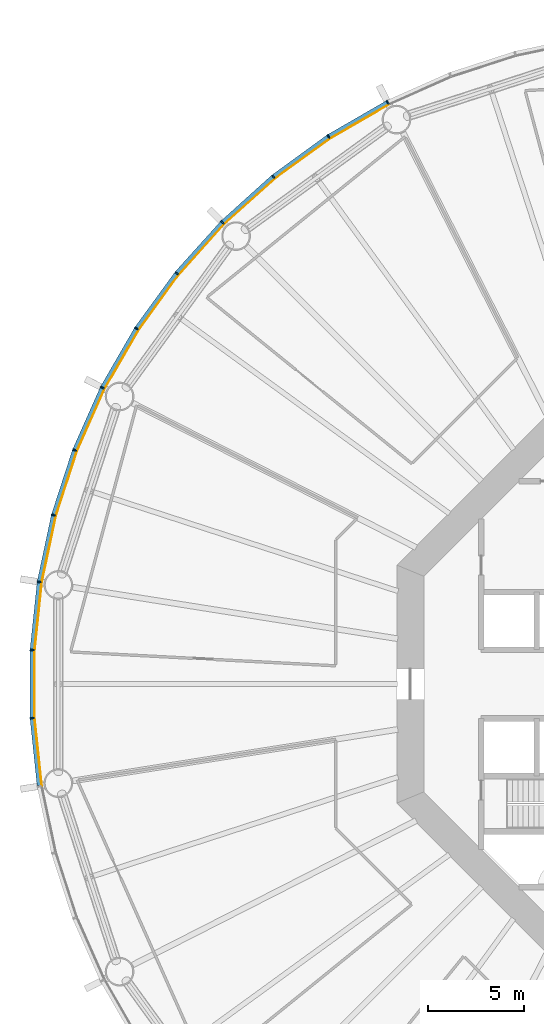
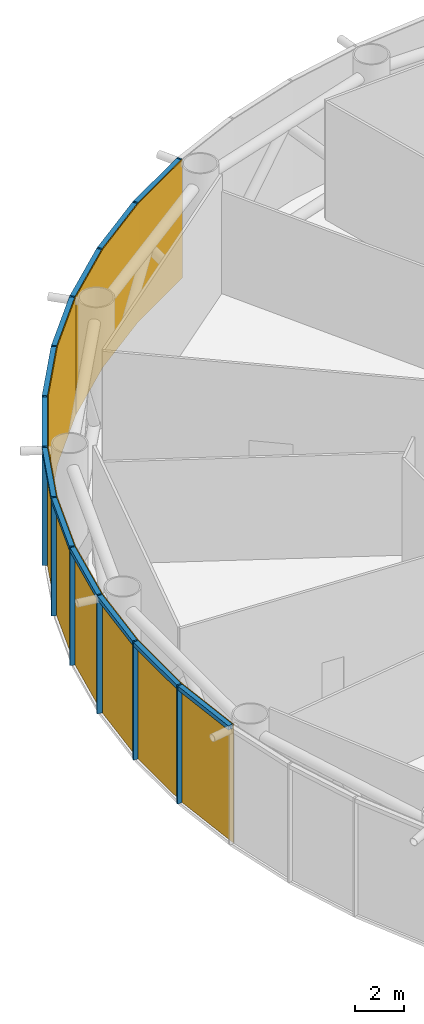
# One storey, part 10 of 14: 24 members, 4 curtain walls.
"""IFC4 building model written with IfcOpenShell, lengths in metres."""

from ifc_helpers import new_model, si_unit, direction, frame, origin, origin_2d, place, context, subcontext, project, spatial, polyline, rectangle, outline, extrude, material, layer, layer_set, material_profile, profile_set, type_object, element, aggregate, save


model = new_model("IFC4")

# Units and contexts
model_context = context("Model", 3, precision=1e-05, world=origin(), true_north=direction((0.0, 1.0)))
body_context = subcontext(model_context, "Body", "Model", "MODEL_VIEW")
ifc_project = project(units=[si_unit("LENGTHUNIT", "METRE"), si_unit("AREAUNIT", "SQUARE_METRE"), si_unit("VOLUMEUNIT", "CUBIC_METRE"), si_unit("PLANEANGLEUNIT", "RADIAN"), si_unit("MASSUNIT", "GRAM", prefix="KILO")], contexts=[model_context])

# Member
ifc_material_1 = material(Name="Anodised aluminium", Category="aluminium")
ifc_material_profile_1 = material_profile(ifc_material_1, rectangle(XDim=0.074951171875, YDim=0.219970703125, at=origin_2d()), Name="Mullion 75 x 220 mm anodised aluminium")
ifc_profile_set_1 = profile_set([ifc_material_profile_1], Name="Anodised aluminium")
member_type_1 = type_object("IfcMemberType", Name="Mullion 75 x 220 mm anodised aluminium", PredefinedType="MULLION", material=ifc_profile_set_1)
site_placement = place(None, origin())
building_placement = place(site_placement, origin())
storey_placement = place(building_placement, frame((0.0, 0.0, 12.0)))
member_1_placement = place(storey_placement, frame((74.514404296875, 110.392333984375, 0.0), z_axis=(0.0, 0.0, 1.0), x_axis=(-0.891006524188, -0.45399049974, 0.0)))
member_1 = element("IfcMember", 1, at=member_1_placement, type_object=member_type_1, Name="MULLION L01-18", PredefinedType="MULLION", context=body_context, shape_type="SweptSolid", body=[
    extrude(rectangle(XDim=0.074951171875, YDim=0.219970703125, at=origin_2d()), origin(), (0.0, 0.0, 1.0), 5.85009765625),
])

member_2_placement = place(storey_placement, frame((71.42236328125, 108.60693359375, 0.0), z_axis=(0.0, 0.0, 1.0), x_axis=(-0.838670567945, -0.544639035015, 0.0)))
member_2 = element("IfcMember", 2, at=member_2_placement, type_object=member_type_1, Name="MULLION L01-19", PredefinedType="MULLION", context=body_context, shape_type="SweptSolid", body=[
    extrude(rectangle(XDim=0.074951171875, YDim=0.219970703125, at=origin_2d()), origin(), (0.0, 0.0, 1.0), 5.85009765625),
])

member_3_placement = place(storey_placement, frame((68.533935546875, 106.508544921875, 0.0), z_axis=(0.0, 0.0, 1.0), x_axis=(-0.777145961457, -0.62932039105, 0.0)))
member_3 = element("IfcMember", 3, at=member_3_placement, type_object=member_type_1, Name="MULLION L01-20", PredefinedType="MULLION", context=body_context, shape_type="SweptSolid", body=[
    extrude(rectangle(XDim=0.074951171875, YDim=0.219970703125, at=origin_2d()), origin(), (0.0, 0.0, 1.0), 5.85009765625),
])

member_4_placement = place(storey_placement, frame((65.880615234375, 104.119384765625, 0.0), z_axis=(0.0, 0.0, 1.0), x_axis=(-0.707106781187, -0.707106781187, 0.0)))
member_4 = element("IfcMember", 4, at=member_4_placement, type_object=member_type_1, Name="MULLION L01-21", PredefinedType="MULLION", context=body_context, shape_type="SweptSolid", body=[
    extrude(rectangle(XDim=0.074951171875, YDim=0.219970703125, at=origin_2d()), origin(), (0.0, 0.0, 1.0), 5.85009765625),
])

member_5_placement = place(storey_placement, frame((63.491455078125, 101.466064453125, 0.0), z_axis=(0.0, 0.0, 1.0), x_axis=(-0.62932039105, -0.777145961457, 0.0)))
member_5 = element("IfcMember", 5, at=member_5_placement, type_object=member_type_1, Name="MULLION L01-22", PredefinedType="MULLION", context=body_context, shape_type="SweptSolid", body=[
    extrude(rectangle(XDim=0.074951171875, YDim=0.219970703125, at=origin_2d()), origin(), (0.0, 0.0, 1.0), 5.85009765625),
])

member_6_placement = place(storey_placement, frame((61.39306640625, 98.57763671875, 0.0), z_axis=(0.0, 0.0, 1.0), x_axis=(-0.544639035015, -0.838670567945, 0.0)))
member_6 = element("IfcMember", 6, at=member_6_placement, type_object=member_type_1, Name="MULLION L01-23", PredefinedType="MULLION", context=body_context, shape_type="SweptSolid", body=[
    extrude(rectangle(XDim=0.074951171875, YDim=0.219970703125, at=origin_2d()), origin(), (0.0, 0.0, 1.0), 5.85009765625),
])

member_7_placement = place(storey_placement, frame((59.607666015625, 95.485595703125, 0.0), z_axis=(0.0, 0.0, 1.0), x_axis=(-0.45399049974, -0.891006524188, 0.0)))
member_7 = element("IfcMember", 7, at=member_7_placement, type_object=member_type_1, Name="MULLION L01-24", PredefinedType="MULLION", context=body_context, shape_type="SweptSolid", body=[
    extrude(rectangle(XDim=0.074951171875, YDim=0.219970703125, at=origin_2d()), origin(), (0.0, 0.0, 1.0), 5.85009765625),
])

member_8_placement = place(storey_placement, frame((58.155517578125, 92.223876953125, 0.0), z_axis=(0.0, 0.0, 1.0), x_axis=(-0.358367949545, -0.933580426497, 0.0)))
member_8 = element("IfcMember", 8, at=member_8_placement, type_object=member_type_1, Name="MULLION L01-25", PredefinedType="MULLION", context=body_context, shape_type="SweptSolid", body=[
    extrude(rectangle(XDim=0.074951171875, YDim=0.219970703125, at=origin_2d()), origin(), (0.0, 0.0, 1.0), 5.85009765625),
])

member_9_placement = place(storey_placement, frame((57.05224609375, 88.828369140625, 0.0), z_axis=(0.0, 0.0, 1.0), x_axis=(-0.258819045103, -0.965925826289, 0.0)))
member_9 = element("IfcMember", 9, at=member_9_placement, type_object=member_type_1, Name="MULLION L01-26", PredefinedType="MULLION", context=body_context, shape_type="SweptSolid", body=[
    extrude(rectangle(XDim=0.074951171875, YDim=0.219970703125, at=origin_2d()), origin(), (0.0, 0.0, 1.0), 5.85009765625),
])

member_10_placement = place(storey_placement, frame((56.31005859375, 85.3359375, 0.0), z_axis=(0.0, 0.0, 1.0), x_axis=(-0.15643446504, -0.987688340595, 0.0)))
member_10 = element("IfcMember", 10, at=member_10_placement, type_object=member_type_1, Name="MULLION L01-27", PredefinedType="MULLION", context=body_context, shape_type="SweptSolid", body=[
    extrude(rectangle(XDim=0.074951171875, YDim=0.219970703125, at=origin_2d()), origin(), (0.0, 0.0, 1.0), 5.85009765625),
])

member_11_placement = place(storey_placement, frame((55.936767578125, 81.78515625, 0.0), z_axis=(0.0, 0.0, 1.0), x_axis=(-0.052335956243, -0.998629534755, 0.0)))
member_11 = element("IfcMember", 11, at=member_11_placement, type_object=member_type_1, Name="MULLION L01-28", PredefinedType="MULLION", context=body_context, shape_type="SweptSolid", body=[
    extrude(rectangle(XDim=0.074951171875, YDim=0.219970703125, at=origin_2d()), origin(), (0.0, 0.0, 1.0), 5.85009765625),
])

member_12_placement = place(storey_placement, frame((55.936767578125, 78.21484375, 0.0), z_axis=(0.0, 0.0, 1.0), x_axis=(0.052335956243, -0.998629534755, 0.0)))
member_12 = element("IfcMember", 12, at=member_12_placement, type_object=member_type_1, Name="MULLION L01-29", PredefinedType="MULLION", context=body_context, shape_type="SweptSolid", body=[
    extrude(rectangle(XDim=0.074951171875, YDim=0.219970703125, at=origin_2d()), origin(), (0.0, 0.0, 1.0), 5.85009765625),
])

ifc_material_2 = material(Name="Anodised aluminium", Category="aluminium")
ifc_material_profile_2 = material_profile(ifc_material_2, rectangle(XDim=0.219970703125, YDim=0.199951171875, at=origin_2d()), Name="Transom 200 x 220 mm anodised aluminium")
ifc_profile_set_2 = profile_set([ifc_material_profile_2], Name="Anodised aluminium")
member_type_2 = type_object("IfcMemberType", Name="Transom 200 x 220 mm anodised aluminium", PredefinedType="USERDEFINED", material=ifc_profile_set_2)
member_13_placement = place(storey_placement, frame((74.476806640625, 110.370849609375, 5.75), z_axis=(-0.866022206254, -0.500005538244, 0.0), x_axis=(0.500005538244, -0.866022206254, 0.0)))
member_13 = element("IfcMember", 13, at=member_13_placement, type_object=member_type_2, Name="TRANSOM L01-18", ObjectType="TRANSOM", PredefinedType="USERDEFINED", context=body_context, shape_type="SweptSolid", body=[
    extrude(rectangle(XDim=0.219970703125, YDim=0.199951171875, at=origin_2d()), origin(), (0.0, 0.0, 1.0), 3.48388671875),
])

member_14_placement = place(storey_placement, frame((71.38720703125, 108.581787109375, 5.75), z_axis=(-0.80899056535, -0.587821627006, 0.0), x_axis=(0.587821627006, -0.80899056535, 0.0)))
member_14 = element("IfcMember", 14, at=member_14_placement, type_object=member_type_2, Name="TRANSOM L01-19", ObjectType="TRANSOM", PredefinedType="USERDEFINED", context=body_context, shape_type="SweptSolid", body=[
    extrude(rectangle(XDim=0.219970703125, YDim=0.199951171875, at=origin_2d()), origin(), (0.0, 0.0, 1.0), 3.48388671875),
])

member_15_placement = place(storey_placement, frame((68.501708984375, 106.479736328125, 5.75), z_axis=(-0.743137329876, -0.669138930974, 0.0), x_axis=(0.669138930974, -0.743137329876, 0.0)))
member_15 = element("IfcMember", 15, at=member_15_placement, type_object=member_type_2, Name="TRANSOM L01-20", ObjectType="TRANSOM", PredefinedType="USERDEFINED", context=body_context, shape_type="SweptSolid", body=[
    extrude(rectangle(XDim=0.219970703125, YDim=0.199951171875, at=origin_2d()), origin(), (0.0, 0.0, 1.0), 3.484130859375),
])

member_16_placement = place(storey_placement, frame((65.8515625, 104.08740234375, 5.75), z_axis=(-0.669138930974, -0.743137329876, 0.0), x_axis=(0.743137329876, -0.669138930974, 0.0)))
member_16 = element("IfcMember", 16, at=member_16_placement, type_object=member_type_2, Name="TRANSOM L01-21", ObjectType="TRANSOM", PredefinedType="USERDEFINED", context=body_context, shape_type="SweptSolid", body=[
    extrude(rectangle(XDim=0.219970703125, YDim=0.199951171875, at=origin_2d()), origin(), (0.0, 0.0, 1.0), 3.484130859375),
])

member_17_placement = place(storey_placement, frame((63.466064453125, 101.43115234375, 5.75), z_axis=(-0.587821627006, -0.80899056535, 0.0), x_axis=(0.80899056535, -0.587821627006, 0.0)))
member_17 = element("IfcMember", 17, at=member_17_placement, type_object=member_type_2, Name="TRANSOM L01-22", ObjectType="TRANSOM", PredefinedType="USERDEFINED", context=body_context, shape_type="SweptSolid", body=[
    extrude(rectangle(XDim=0.219970703125, YDim=0.199951171875, at=origin_2d()), origin(), (0.0, 0.0, 1.0), 3.48388671875),
])

member_18_placement = place(storey_placement, frame((61.37109375, 98.540283203125, 5.75), z_axis=(-0.500005538244, -0.866022206254, 0.0), x_axis=(0.866022206254, -0.500005538244, 0.0)))
member_18 = element("IfcMember", 18, at=member_18_placement, type_object=member_type_2, Name="TRANSOM L01-23", ObjectType="TRANSOM", PredefinedType="USERDEFINED", context=body_context, shape_type="SweptSolid", body=[
    extrude(rectangle(XDim=0.219970703125, YDim=0.199951171875, at=origin_2d()), origin(), (0.0, 0.0, 1.0), 3.48388671875),
])

member_19_placement = place(storey_placement, frame((59.590087890625, 95.446044921875, 5.75), z_axis=(-0.406736576304, -0.913545487371, 0.0), x_axis=(0.913545487371, -0.406736576304, 0.0)))
member_19 = element("IfcMember", 19, at=member_19_placement, type_object=member_type_2, Name="TRANSOM L01-24", ObjectType="TRANSOM", PredefinedType="USERDEFINED", context=body_context, shape_type="SweptSolid", body=[
    extrude(rectangle(XDim=0.219970703125, YDim=0.199951171875, at=origin_2d()), origin(), (0.0, 0.0, 1.0), 3.48388671875),
])

member_20_placement = place(storey_placement, frame((58.14208984375, 92.182861328125, 5.75), z_axis=(-0.309029029702, -0.951052605696, 0.0), x_axis=(0.951052605696, -0.309029029702, 0.0)))
member_20 = element("IfcMember", 20, at=member_20_placement, type_object=member_type_2, Name="TRANSOM L01-25", ObjectType="TRANSOM", PredefinedType="USERDEFINED", context=body_context, shape_type="SweptSolid", body=[
    extrude(rectangle(XDim=0.219970703125, YDim=0.199951171875, at=origin_2d()), origin(), (0.0, 0.0, 1.0), 3.484130859375),
])

member_21_placement = place(storey_placement, frame((57.043212890625, 88.7861328125, 5.75), z_axis=(-0.207920776701, -0.978145669426, 0.0), x_axis=(0.978145669426, -0.207920776701, 0.0)))
member_21 = element("IfcMember", 21, at=member_21_placement, type_object=member_type_2, Name="TRANSOM L01-26", ObjectType="TRANSOM", PredefinedType="USERDEFINED", context=body_context, shape_type="SweptSolid", body=[
    extrude(rectangle(XDim=0.219970703125, YDim=0.199951171875, at=origin_2d()), origin(), (0.0, 0.0, 1.0), 3.48388671875),
])

member_22_placement = place(storey_placement, frame((56.30517578125, 85.29296875, 5.75), z_axis=(-0.104484152234, -0.994526551648, 0.0), x_axis=(0.994526551648, -0.104484152234, 0.0)))
member_22 = element("IfcMember", 22, at=member_22_placement, type_object=member_type_2, Name="TRANSOM L01-27", ObjectType="TRANSOM", PredefinedType="USERDEFINED", context=body_context, shape_type="SweptSolid", body=[
    extrude(rectangle(XDim=0.219970703125, YDim=0.199951171875, at=origin_2d()), origin(), (0.0, 0.0, 1.0), 3.48388671875),
])

member_23_placement = place(storey_placement, frame((55.9365234375, 81.741943359375, 5.75), z_axis=(0.0, -1.0, 0.0), x_axis=(1.0, 0.0, 0.0)))
member_23 = element("IfcMember", 23, at=member_23_placement, type_object=member_type_2, Name="TRANSOM L01-28", ObjectType="TRANSOM", PredefinedType="USERDEFINED", context=body_context, shape_type="SweptSolid", body=[
    extrude(rectangle(XDim=0.219970703125, YDim=0.199951171875, at=origin_2d()), origin(), (0.0, 0.0, 1.0), 3.48388671875),
])

member_24_placement = place(storey_placement, frame((55.941162109375, 78.171875, 5.75), z_axis=(0.104484152234, -0.994526551648, 0.0), x_axis=(0.994526551648, 0.104484152234, 0.0)))
member_24 = element("IfcMember", 24, at=member_24_placement, type_object=member_type_2, Name="TRANSOM L01-29", ObjectType="TRANSOM", PredefinedType="USERDEFINED", context=body_context, shape_type="SweptSolid", body=[
    extrude(rectangle(XDim=0.219970703125, YDim=0.199951171875, at=origin_2d()), origin(), (0.0, 0.0, 1.0), 3.48388671875),
])

# Site, building, storey
site = spatial("IfcSite", under=ifc_project, at=site_placement, CompositionType="ELEMENT")
building = spatial("IfcBuilding", under=site, at=building_placement, Name="Entoto Ring Tower", CompositionType="ELEMENT")
storey = spatial("IfcBuildingStorey", under=building, at=storey_placement, Name="L01", CompositionType="ELEMENT", Elevation=12.0)

# Curtain wall
ifc_material_3 = material(Name="Clear low-iron glass", Category="glass")
ifc_layer = layer(ifc_material_3, 0.0400390625)
ifc_layer_set = layer_set([ifc_layer], Name="Clear low-iron glass")
curtain_wall_type = type_object("IfcCurtainWallType", Name="Curtain wall system CW1 glazing 40 mm", PredefinedType="NOTDEFINED", material=ifc_layer_set)
curtain_wall_1_placement = place(storey_placement, origin())
curtain_wall_1 = element("IfcCurtainWall", 25, at=curtain_wall_1_placement, inside=storey, type_object=curtain_wall_type, Name="CW1 L01-07", PredefinedType="NOTDEFINED", context=body_context, shape_type="SweptSolid", body=[
    extrude(outline(polyline([(74.564208984375, 110.294189453125), (71.482177734375, 108.514892578125), (68.60302734375, 106.4228515625), (65.958251953125, 104.041748046875), (65.986572265625, 104.013427734375), (68.62841796875, 106.391845703125), (71.504150390625, 108.481201171875), (74.58251953125, 110.258544921875), (74.564208984375, 110.294189453125)])), origin(), (0.0, 0.0, 1.0), 5.85009765625),
])

aggregate(curtain_wall_1, [member_1, member_2, member_3, member_13, member_14, member_15])

curtain_wall_2_placement = place(storey_placement, origin())
curtain_wall_2 = element("IfcCurtainWall", 26, at=curtain_wall_2_placement, inside=storey, type_object=curtain_wall_type, Name="CW1 L01-08", PredefinedType="NOTDEFINED", context=body_context, shape_type="SweptSolid", body=[
    extrude(outline(polyline([(65.958251953125, 104.041748046875), (63.5771484375, 101.39697265625), (61.485107421875, 98.517822265625), (59.705810546875, 95.435791015625), (59.741455078125, 95.41748046875), (61.518798828125, 98.495849609375), (63.608154296875, 101.37158203125), (65.986572265625, 104.013427734375), (65.958251953125, 104.041748046875)])), origin(), (0.0, 0.0, 1.0), 5.85009765625),
])

aggregate(curtain_wall_2, [member_4, member_5, member_6, member_16, member_17, member_18])

curtain_wall_3_placement = place(storey_placement, origin())
curtain_wall_3 = element("IfcCurtainWall", 27, at=curtain_wall_3_placement, inside=storey, type_object=curtain_wall_type, Name="CW1 L01-09", PredefinedType="NOTDEFINED", context=body_context, shape_type="SweptSolid", body=[
    extrude(outline(polyline([(59.705810546875, 95.435791015625), (58.25830078125, 92.1845703125), (57.158447265625, 88.7998046875), (56.418701171875, 85.31884765625), (56.458251953125, 85.3125), (57.197265625, 88.78955078125), (58.295654296875, 92.170166015625), (59.741455078125, 95.41748046875), (59.705810546875, 95.435791015625)])), origin(), (0.0, 0.0, 1.0), 5.85009765625),
])

aggregate(curtain_wall_3, [member_7, member_8, member_9, member_19, member_20, member_21])

curtain_wall_4_placement = place(storey_placement, origin())
curtain_wall_4 = element("IfcCurtainWall", 28, at=curtain_wall_4_placement, inside=storey, type_object=curtain_wall_type, Name="CW1 L01-10", PredefinedType="NOTDEFINED", context=body_context, shape_type="SweptSolid", body=[
    extrude(outline(polyline([(56.418701171875, 85.31884765625), (56.046630859375, 81.779541015625), (56.046630859375, 78.220458984375), (56.418701171875, 74.68115234375), (56.458251953125, 74.6875), (56.086669921875, 78.22265625), (56.086669921875, 81.77734375), (56.458251953125, 85.3125), (56.418701171875, 85.31884765625)])), origin(), (0.0, 0.0, 1.0), 5.85009765625),
])

aggregate(curtain_wall_4, [member_10, member_11, member_12, member_22, member_23, member_24])

save(model, "model.ifc")
